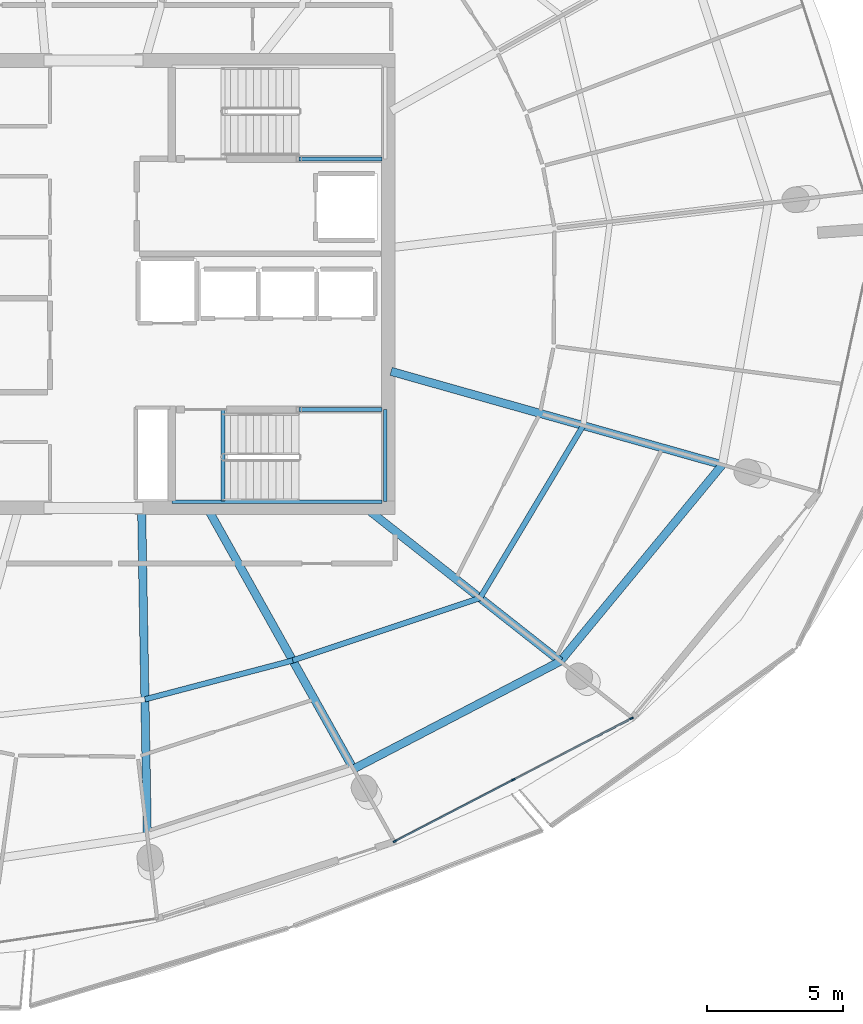
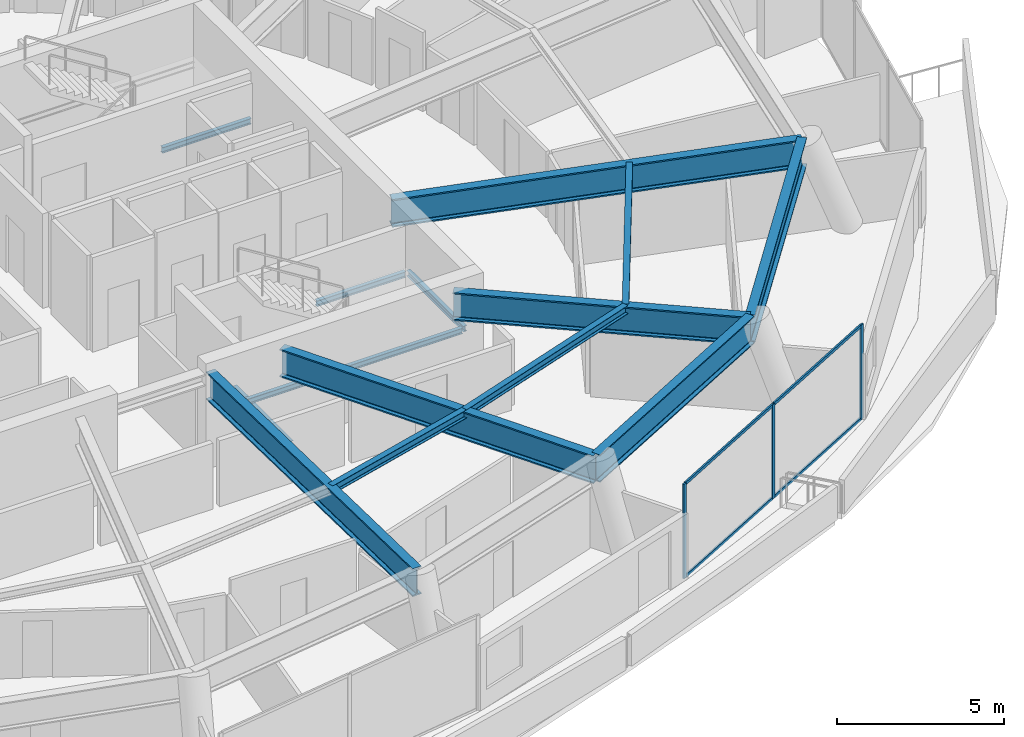
# One storey, part 9 of 27: 14 beams, 7 members, 1 element without a shape of its own.
"""IFC4 building model written with IfcOpenShell, lengths in metres."""

import ifcopenshell
import ifcopenshell.guid

model = None  # the IFC model being written
_history = None  # IfcOwnerHistory: only IFC2X3 demands one
_inside = {}  # id of a spatial element -> (the spatial element, [elements in it])
_under = {}  # id of a project, library or spatial element -> (it, [spatial elements below it])
_declared = {}  # id of a project -> (the project, [libraries it declares])
_typed = {}  # id of a type object -> (the type object, [elements of that type])
_made_of = {}  # id of a material, layer set ... -> (it, [elements and type objects made of it])


def new_model(schema):
    """Start an empty IFC model of exactly this schema.

    Asked for "IFC4X3", IfcOpenShell would pick the latest addendum, in which some entities
    have other attributes; the version numbers below select the first issue.
    IFC2X3 requires an IfcOwnerHistory on every rooted entity: one is made here for all.
    """
    global model, _history
    if schema == "IFC4X3":
        model = ifcopenshell.file(schema_version=(4, 3, 0, 0))
    else:
        model = ifcopenshell.file(schema=schema)
    _inside.clear()
    _under.clear()
    _declared.clear()
    _typed.clear()
    _made_of.clear()
    _history = None
    if model.schema == "IFC2X3":
        org = make("IfcOrganization", Name="unknown")
        user = make(
            "IfcPersonAndOrganization",
            ThePerson=make("IfcPerson", FamilyName="unknown"),
            TheOrganization=org,
        )
        app = make(
            "IfcApplication",
            ApplicationDeveloper=org,
            Version="unknown",
            ApplicationFullName="unknown",
            ApplicationIdentifier="unknown",
        )
        _history = make(
            "IfcOwnerHistory",
            OwningUser=user,
            OwningApplication=app,
            ChangeAction="ADDED",
            CreationDate=0,
        )
    return model


def make(cls, **values):
    """One entity of the class cls with the attributes given. An attribute that is None is left unset."""
    return model.create_entity(
        cls, **{name: value for name, value in values.items() if value is not None}
    )


def rooted(cls, **values):
    """An entity with a GlobalId (a new one), such as an element, a storey or a relation."""
    return make(cls, GlobalId=ifcopenshell.guid.new(), OwnerHistory=_history, **values)


def si_unit(unit_type, name, prefix=None):
    """IfcSIUnit, for example si_unit("LENGTHUNIT", "METRE", prefix="MILLI")."""
    return make("IfcSIUnit", UnitType=unit_type, Prefix=prefix, Name=name)


def assignment(units):
    """IfcUnitAssignment: the units of a project."""
    return None if units is None else make("IfcUnitAssignment", Units=units)


def point(xyz):
    """IfcCartesianPoint."""
    return None if xyz is None else make("IfcCartesianPoint", Coordinates=xyz)


def direction(xyz):
    """IfcDirection."""
    return None if xyz is None else make("IfcDirection", DirectionRatios=xyz)


def frame(location, z_axis=None, x_axis=None):
    """IfcAxis2Placement3D, a coordinate frame: its origin and axes. An axis left out is left unset."""
    return make(
        "IfcAxis2Placement3D",
        Location=point(location),
        Axis=direction(z_axis),
        RefDirection=direction(x_axis),
    )


def frame_2d(location, x_axis=None):
    """IfcAxis2Placement2D, a coordinate frame in the plane: its origin and x axis."""
    return make(
        "IfcAxis2Placement2D", Location=point(location), RefDirection=direction(x_axis)
    )


def origin():
    """The frame at (0, 0, 0) with its axes left unset."""
    return frame((0.0, 0.0, 0.0))


def origin_2d():
    """The frame at (0, 0) in the plane with its x axis left unset."""
    return frame_2d((0.0, 0.0))


def place(relative_to, where):
    """IfcLocalPlacement: puts the frame where relative to a parent placement (None: the world)."""
    return make(
        "IfcLocalPlacement", PlacementRelTo=relative_to, RelativePlacement=where
    )


def context(
    kind, dimensions, precision=None, world=None, true_north=None, identifier=None
):
    """IfcGeometricRepresentationContext, for example the 3D "Model" context."""
    return make(
        "IfcGeometricRepresentationContext",
        ContextIdentifier=identifier,
        ContextType=kind,
        CoordinateSpaceDimension=dimensions,
        Precision=precision,
        WorldCoordinateSystem=world,
        TrueNorth=true_north,
    )


def subcontext(parent, identifier, kind, view, scale=None):
    """IfcGeometricRepresentationSubContext, for example "Body" below "Model"."""
    return make(
        "IfcGeometricRepresentationSubContext",
        ContextIdentifier=identifier,
        ContextType=kind,
        ParentContext=parent,
        TargetScale=scale,
        TargetView=view,
    )


def project(units=None, contexts=None):
    """IfcProject with its units and contexts."""
    return rooted(
        "IfcProject",
        Name="project",
        RepresentationContexts=contexts,
        UnitsInContext=assignment(units),
    )


def spatial(cls, under=None, at=None, **own):
    """A site, building, storey or space (cls), placed at a placement, below another one or the project."""
    s = rooted(cls, ObjectPlacement=at, **own)
    if under is not None:
        _under.setdefault(under.id(), (under, []))[1].append(s)
    return s


def profile(cls, at=None, kind="AREA", **sizes):
    """A parametric profile (cls). Its sizes go by their IFC names, for example OverallWidth=200.0."""
    return make(cls, ProfileType=kind, Position=at, **sizes)


def rectangle(**sizes):
    """IfcRectangleProfileDef."""
    return profile("IfcRectangleProfileDef", **sizes)


def i_section(**sizes):
    """IfcIShapeProfileDef."""
    return profile("IfcIShapeProfileDef", **sizes)


def extrude(swept, where, along, depth):
    """IfcExtrudedAreaSolid: the profile swept, set in the frame where, extruded along a direction by depth."""
    return make(
        "IfcExtrudedAreaSolid",
        SweptArea=swept,
        Position=where,
        ExtrudedDirection=direction(along),
        Depth=depth,
    )


def shape(context_of_items, identifier, shape_type, items):
    """IfcShapeRepresentation: the items that make up one representation, for example the "Body"."""
    return make(
        "IfcShapeRepresentation",
        ContextOfItems=context_of_items,
        RepresentationIdentifier=identifier,
        RepresentationType=shape_type,
        Items=items,
    )


def material(Name=None, Category=None):
    """IfcMaterial."""
    return make("IfcMaterial", Name=Name, Category=Category)


def layer(
    of_material, thickness, ventilated=None, Name=None, Category=None, Priority=None
):
    """IfcMaterialLayer: one layer of a wall or slab, of a material (None: an air gap)."""
    return make(
        "IfcMaterialLayer",
        Material=of_material,
        LayerThickness=thickness,
        IsVentilated=ventilated,
        Name=Name,
        Category=Category,
        Priority=Priority,
    )


def layer_set(layers, Name=None):
    """IfcMaterialLayerSet."""
    return make("IfcMaterialLayerSet", MaterialLayers=layers, LayerSetName=Name)


def material_profile(
    of_material, cross_section, Name=None, Category=None, Priority=None
):
    """IfcMaterialProfile: a cross section and its material."""
    return make(
        "IfcMaterialProfile",
        Name=Name,
        Material=of_material,
        Profile=cross_section,
        Priority=Priority,
        Category=Category,
    )


def profile_set(profiles, Name=None, composite=None):
    """IfcMaterialProfileSet."""
    return make(
        "IfcMaterialProfileSet",
        Name=Name,
        MaterialProfiles=profiles,
        CompositeProfile=composite,
    )


def made_of(thing, what):
    """Note that an element or type object is made of a material, layer set ...; save() writes the relation."""
    if what is not None:
        _made_of.setdefault(what.id(), (what, []))[1].append(thing)
    return thing


def type_object(cls, material=None, **own):
    """A type object (cls), such as IfcWallType, which elements share."""
    return made_of(rooted(cls, **own), material)


def element(
    cls,
    number,
    at=None,
    inside=None,
    cuts=None,
    type_object=None,
    material=None,
    context=None,
    identifier="Body",
    shape_type=None,
    held_by="IfcProductDefinitionShape",
    body=None,
    shapes=None,
    **own,
):
    """One element of the class cls, such as IfcWall. Its Tag is "e" and its number.

    at: its placement. inside: the storey or other place that contains it. cuts: it is an
    opening in that element (IfcRelVoidsElement). A single representation is given by context,
    identifier, shape_type and body (its items); several are given by shapes. held_by: the class
    of the entity that holds the representations. save() writes the other relations.
    """
    e = rooted(cls, Tag="e%d" % number, ObjectPlacement=at, **own)
    if body is not None:
        shapes = [shape(context, identifier, shape_type, body)]
    if shapes is not None:
        e.Representation = make(held_by, Representations=shapes)
    if inside is not None:
        _inside.setdefault(inside.id(), (inside, []))[1].append(e)
    if cuts is not None:
        rooted(
            "IfcRelVoidsElement", RelatingBuildingElement=cuts, RelatedOpeningElement=e
        )
    if type_object is not None:
        _typed.setdefault(type_object.id(), (type_object, []))[1].append(e)
    return made_of(e, material)


def aggregate(whole, parts):
    """IfcRelAggregates: a whole, such as a stair, and the parts it consists of."""
    return rooted("IfcRelAggregates", RelatingObject=whole, RelatedObjects=parts)


def save(model, path):
    """Write the relations noted so far, then the file.

    IfcRelAggregates (storeys below a building ...), IfcRelContainedInSpatialStructure (elements
    in a storey), IfcRelDefinesByType, IfcRelAssociatesMaterial and IfcRelDeclares: one each for
    every whole, place, type object, material and project.
    """
    for whole, parts in _under.values():
        aggregate(whole, parts)
    for where, things in _inside.values():
        rooted(
            "IfcRelContainedInSpatialStructure",
            RelatedElements=things,
            RelatingStructure=where,
        )
    for kind, things in _typed.values():
        rooted("IfcRelDefinesByType", RelatedObjects=things, RelatingType=kind)
    for what, things in _made_of.values():
        rooted("IfcRelAssociatesMaterial", RelatedObjects=things, RelatingMaterial=what)
    for by, libraries in _declared.values():
        rooted("IfcRelDeclares", RelatingContext=by, RelatedDefinitions=libraries)
    model.write(path)


model = new_model("IFC4")

# Units and contexts
model_context = context("Model", 3, precision=1e-05, world=origin(), true_north=direction((0.0, 1.0)))
body_context = subcontext(model_context, "Body", "Model", "MODEL_VIEW")
ifc_project = project(units=[si_unit("LENGTHUNIT", "METRE"), si_unit("AREAUNIT", "SQUARE_METRE"), si_unit("VOLUMEUNIT", "CUBIC_METRE"), si_unit("PLANEANGLEUNIT", "RADIAN"), si_unit("MASSUNIT", "GRAM", prefix="KILO")], contexts=[model_context])

# Site, building, storey
site_placement = place(None, origin())
site = spatial("IfcSite", under=ifc_project, at=site_placement, CompositionType="ELEMENT")
building_placement = place(site_placement, origin())
building = spatial("IfcBuilding", under=site, at=building_placement, Name="Kazma Halo Residences", CompositionType="ELEMENT")
storey_placement = place(building_placement, frame((0.0, 0.0, 306.0)))
storey = spatial("IfcBuildingStorey", under=building, at=storey_placement, Name="L77", CompositionType="ELEMENT", Elevation=306.0)

# Beams
ifc_material_1 = material(Name="Steel S355", Category="steel")
ifc_material_profile_1 = material_profile(ifc_material_1, i_section(OverallWidth=0.202880859375, OverallDepth=0.302978515625, WebThickness=0.007568359375, FlangeThickness=0.01318359375, FilletRadius=0.013916015625, at=origin_2d()), Name="W310x60")
ifc_profile_set_1 = profile_set([ifc_material_profile_1], Name="Steel S355")
beam_type_1 = type_object("IfcBeamType", Name="BM-SEC-W310A", PredefinedType="JOIST", material=ifc_profile_set_1)
beam_1_placement = place(storey_placement, frame((50.32080078125, 26.690673828125, 3.298583984375), z_axis=(0.967135677372, 0.254260853364, 0.0), x_axis=(-0.254260853364, 0.967135677372, 0.0)))
element("IfcBeam", 1, at=beam_1_placement, inside=storey, type_object=beam_type_1, Name="L77 circumferential floor joist 12", PredefinedType="JOIST", context=body_context, shape_type="SweptSolid", body=[
    extrude(i_section(OverallWidth=0.202880859375, OverallDepth=0.302978515625, WebThickness=0.007568359375, FlangeThickness=0.01318359375, FilletRadius=0.013916015625, at=origin_2d()), origin(), (0.0, 0.0, 1.0), 5.635498046875),
])
beam_2_placement = place(storey_placement, frame((55.77099609375, 28.12353515625, 3.298583984375), z_axis=(0.948639708873, 0.316358503521, 0.0), x_axis=(-0.316358503521, 0.948639708873, 0.0)))
element("IfcBeam", 2, at=beam_2_placement, inside=storey, type_object=beam_type_1, Name="L77 circumferential floor joist 13", PredefinedType="JOIST", context=body_context, shape_type="SweptSolid", body=[
    extrude(i_section(OverallWidth=0.202880859375, OverallDepth=0.302978515625, WebThickness=0.007568359375, FlangeThickness=0.01318359375, FilletRadius=0.013916015625, at=origin_2d()), origin(), (0.0, 0.0, 1.0), 7.28271484375),
])
beam_3_placement = place(storey_placement, frame((62.6796875, 30.427490234375, 3.298583984375), z_axis=(0.513298539715, 0.85821011945, 0.0), x_axis=(-0.85821011945, 0.513298539715, 0.0)))
element("IfcBeam", 3, at=beam_3_placement, inside=storey, type_object=beam_type_1, Name="L77 circumferential floor joist 14", PredefinedType="JOIST", context=body_context, shape_type="SweptSolid", body=[
    extrude(i_section(OverallWidth=0.202880859375, OverallDepth=0.302978515625, WebThickness=0.007568359375, FlangeThickness=0.01318359375, FilletRadius=0.013916015625, at=origin_2d()), origin(), (0.0, 0.0, 1.0), 7.410400390625),
])
ifc_material_profile_2 = material_profile(ifc_material_1, i_section(OverallWidth=0.302001953125, OverallDepth=1.01806640625, WebThickness=0.021484375, FlangeThickness=0.049072265625, FilletRadius=0.028076171875, at=origin_2d()), Name="W1000x443")
ifc_profile_set_2 = profile_set([ifc_material_profile_2], Name="Steel S355")
beam_type_2 = type_object("IfcBeamType", Name="BM-TRANS-W1000A", PredefinedType="BEAM", material=ifc_profile_set_2)
beam_4_placement = place(storey_placement, frame((50.199951171875, 33.64990234375, 2.94091796875), z_axis=(0.017373819368, -0.999849063809, 0.0), x_axis=(0.999849063809, 0.017373819368, 0.0)))
element("IfcBeam", 4, at=beam_4_placement, inside=storey, type_object=beam_type_2, Name="L77 podium radial transfer girder 12", PredefinedType="BEAM", context=body_context, shape_type="SweptSolid", body=[
    extrude(i_section(OverallWidth=0.302001953125, OverallDepth=1.01806640625, WebThickness=0.021484375, FlangeThickness=0.049072265625, FilletRadius=0.028076171875, at=origin_2d()), origin(), (0.0, 0.0, 1.0), 12.00048828125),
])
beam_5_placement = place(storey_placement, frame((52.67626953125, 33.64990234375, 2.94091796875), z_axis=(0.488618345646, -0.872497628821, 0.0), x_axis=(0.872497628821, 0.488618345646, 0.0)))
element("IfcBeam", 5, at=beam_5_placement, inside=storey, type_object=beam_type_2, Name="L77 podium radial transfer girder 13", PredefinedType="BEAM", context=body_context, shape_type="SweptSolid", body=[
    extrude(i_section(OverallWidth=0.302001953125, OverallDepth=1.01806640625, WebThickness=0.021484375, FlangeThickness=0.049072265625, FilletRadius=0.028076171875, at=origin_2d()), origin(), (0.0, 0.0, 1.0), 10.92041015625),
])
beam_6_placement = place(storey_placement, frame((58.591796875, 33.64990234375, 2.94091796875), z_axis=(0.785323339082, -0.619085820459, 0.0), x_axis=(0.619085820459, 0.785323339082, 0.0)))
element("IfcBeam", 6, at=beam_6_placement, inside=storey, type_object=beam_type_2, Name="L77 podium radial transfer girder 14", PredefinedType="BEAM", context=body_context, shape_type="SweptSolid", body=[
    extrude(i_section(OverallWidth=0.302001953125, OverallDepth=1.01806640625, WebThickness=0.021484375, FlangeThickness=0.049072265625, FilletRadius=0.028076171875, at=origin_2d()), origin(), (0.0, 0.0, 1.0), 8.974853515625),
])
beam_7_placement = place(storey_placement, frame((59.39990234375, 38.784912109375, 2.94091796875), z_axis=(0.962454960428, -0.271441428577, 0.0), x_axis=(0.271441428577, 0.962454960428, 0.0)))
element("IfcBeam", 7, at=beam_7_placement, inside=storey, type_object=beam_type_2, Name="L77 podium radial transfer girder 15", PredefinedType="BEAM", context=body_context, shape_type="SweptSolid", body=[
    extrude(i_section(OverallWidth=0.302001953125, OverallDepth=1.01806640625, WebThickness=0.021484375, FlangeThickness=0.049072265625, FilletRadius=0.028076171875, at=origin_2d()), origin(), (0.0, 0.0, 1.0), 12.68896484375),
])
ifc_material_profile_3 = material_profile(ifc_material_1, i_section(OverallWidth=0.300048828125, OverallDepth=1.0, WebThickness=0.01904296875, FlangeThickness=0.0400390625, FilletRadius=0.02587890625, at=origin_2d()), Name="W1000x371")
ifc_profile_set_3 = profile_set([ifc_material_profile_3], Name="Steel S355")
beam_type_3 = type_object("IfcBeamType", Name="BM-TRANS-W1000B", PredefinedType="BEAM", material=ifc_profile_set_3)
beam_8_placement = place(storey_placement, frame((58.01220703125, 24.121826171875, 2.949951171875), z_axis=(0.886953577224, 0.461858584254, 0.0), x_axis=(-0.461858584254, 0.886953577224, 0.0)))
element("IfcBeam", 8, at=beam_8_placement, inside=storey, type_object=beam_type_3, Name="L77 perimeter ring beam 13", PredefinedType="BEAM", context=body_context, shape_type="SweptSolid", body=[
    extrude(i_section(OverallWidth=0.300048828125, OverallDepth=1.0, WebThickness=0.01904296875, FlangeThickness=0.0400390625, FilletRadius=0.02587890625, at=origin_2d()), origin(), (0.0, 0.0, 1.0), 8.599853515625),
])
beam_9_placement = place(storey_placement, frame((65.639892578125, 28.09375, 2.949951171875), z_axis=(0.636004274797, 0.771685533388, 0.0), x_axis=(-0.771685533388, 0.636004274797, 0.0)))
element("IfcBeam", 9, at=beam_9_placement, inside=storey, type_object=beam_type_3, Name="L77 perimeter ring beam 14", PredefinedType="BEAM", context=body_context, shape_type="SweptSolid", body=[
    extrude(i_section(OverallWidth=0.300048828125, OverallDepth=1.0, WebThickness=0.01904296875, FlangeThickness=0.0400390625, FilletRadius=0.02587890625, at=origin_2d()), origin(), (0.0, 0.0, 1.0), 9.390869140625),
])
ifc_material_profile_4 = material_profile(ifc_material_1, i_section(OverallWidth=0.133056640625, OverallDepth=0.20703125, WebThickness=0.005859375, FlangeThickness=0.00830078125, FilletRadius=0.010009765625, at=origin_2d()), Name="W200x26.6")
ifc_profile_set_4 = profile_set([ifc_material_profile_4], Name="Steel S355")
beam_type_4 = type_object("IfcBeamType", Name="BM-TRIM-W200", PredefinedType="BEAM", material=ifc_profile_set_4)
beam_10_placement = place(storey_placement, frame((53.199951171875, 34.0, -0.510009765625), z_axis=(0.0, 1.0, 0.0), x_axis=(-1.0, 0.0, 0.0)))
element("IfcBeam", 10, at=beam_10_placement, inside=storey, type_object=beam_type_4, Name="L77 ST-03 floor landing support beam", PredefinedType="BEAM", context=body_context, shape_type="SweptSolid", body=[
    extrude(i_section(OverallWidth=0.133056640625, OverallDepth=0.20703125, WebThickness=0.005859375, FlangeThickness=0.00830078125, FilletRadius=0.010009765625, at=origin_2d()), origin(), (0.0, 0.0, 1.0), 3.3798828125),
])
beam_11_placement = place(storey_placement, frame((56.0, 46.6201171875, 1.6201171875), z_axis=(1.0, 0.0, 0.0), x_axis=(0.0, 1.0, 0.0)))
element("IfcBeam", 11, at=beam_11_placement, inside=storey, type_object=beam_type_4, Name="L77 ST-02 landing south wall ledger", PredefinedType="BEAM", context=body_context, shape_type="SweptSolid", body=[
    extrude(i_section(OverallWidth=0.133056640625, OverallDepth=0.20703125, WebThickness=0.005859375, FlangeThickness=0.00830078125, FilletRadius=0.010009765625, at=origin_2d()), origin(), (0.0, 0.0, 1.0), 3.070068359375),
])
beam_12_placement = place(storey_placement, frame((51.31005859375, 33.97998046875, 1.6201171875), z_axis=(1.0, 0.0, 0.0), x_axis=(0.0, 1.0, 0.0)))
element("IfcBeam", 12, at=beam_12_placement, inside=storey, type_object=beam_type_4, Name="L77 ST-03 landing south wall ledger", PredefinedType="BEAM", context=body_context, shape_type="SweptSolid", body=[
    extrude(i_section(OverallWidth=0.133056640625, OverallDepth=0.20703125, WebThickness=0.005859375, FlangeThickness=0.00830078125, FilletRadius=0.010009765625, at=origin_2d()), origin(), (0.0, 0.0, 1.0), 7.760009765625),
])
beam_13_placement = place(storey_placement, frame((56.0, 37.3798828125, 1.6201171875), z_axis=(1.0, 0.0, 0.0), x_axis=(0.0, 1.0, 0.0)))
element("IfcBeam", 13, at=beam_13_placement, inside=storey, type_object=beam_type_4, Name="L77 ST-03 landing north wall ledger", PredefinedType="BEAM", context=body_context, shape_type="SweptSolid", body=[
    extrude(i_section(OverallWidth=0.133056640625, OverallDepth=0.20703125, WebThickness=0.005859375, FlangeThickness=0.00830078125, FilletRadius=0.010009765625, at=origin_2d()), origin(), (0.0, 0.0, 1.0), 3.070068359375),
])
beam_14_placement = place(storey_placement, frame((59.18994140625, 33.97998046875, 1.6201171875), z_axis=(0.0, 1.0, 0.0), x_axis=(-1.0, 0.0, 0.0)))
element("IfcBeam", 14, at=beam_14_placement, inside=storey, type_object=beam_type_4, Name="L77 ST-03 landing end wall ledger", PredefinedType="BEAM", context=body_context, shape_type="SweptSolid", body=[
    extrude(i_section(OverallWidth=0.133056640625, OverallDepth=0.20703125, WebThickness=0.005859375, FlangeThickness=0.00830078125, FilletRadius=0.010009765625, at=origin_2d()), origin(), (0.0, 0.0, 1.0), 3.39990234375),
])

# Curtain wall, members
ifc_material_2 = material(Name="Aluminium AW-6063 T6 and Triple-Silver Low-E Glass", Category="aluminium")
ifc_layer = layer(ifc_material_2, 0.139892578125)
ifc_layer_set = layer_set([ifc_layer], Name="Aluminium AW-6063 T6 and Triple-Silver Low-E Glass")
curtain_wall_type = type_object("IfcCurtainWallType", Name="CW-SYS-5", PredefinedType="NOTDEFINED", material=ifc_layer_set)
curtain_wall_placement = place(storey_placement, origin())
curtain_wall = element("IfcCurtainWall", 15, at=curtain_wall_placement, inside=storey, type_object=curtain_wall_type, Name="L77 unitised curtain wall B13", PredefinedType="NOTDEFINED")
ifc_material_3 = material(Name="Aluminium AW-6063 T6", Category="aluminium")
ifc_material_profile_5 = material_profile(ifc_material_3, rectangle(XDim=0.06005859375, YDim=0.139892578125, at=origin_2d()), Name="CWM-60x140")
ifc_profile_set_5 = profile_set([ifc_material_profile_5], Name="Aluminium AW-6063 T6")
member_type_1 = type_object("IfcMemberType", Name="CW-SYS-5-MUL", PredefinedType="MULLION", material=ifc_profile_set_5)
member_1_placement = place(storey_placement, frame((59.539306640625, 21.45654296875, 0.0), z_axis=(0.0, 0.0, 1.0), x_axis=(-0.460915397592, 0.88744408064, 0.0)))
member_1 = element("IfcMember", 16, at=member_1_placement, type_object=member_type_1, Name="CWS-5 mullion 1", PredefinedType="MULLION", context=body_context, shape_type="SweptSolid", body=[
    extrude(rectangle(XDim=0.06005859375, YDim=0.139892578125, at=origin_2d()), origin(), (0.0, 0.0, 1.0), 3.449951171875),
])
member_2_placement = place(storey_placement, frame((63.902587890625, 23.722900390625, 0.0), z_axis=(0.0, 0.0, 1.0), x_axis=(-0.460915397592, 0.88744408064, 0.0)))
member_2 = element("IfcMember", 17, at=member_2_placement, type_object=member_type_1, Name="CWS-5 mullion 2", PredefinedType="MULLION", context=body_context, shape_type="SweptSolid", body=[
    extrude(rectangle(XDim=0.06005859375, YDim=0.139892578125, at=origin_2d()), origin(), (0.0, 0.0, 1.0), 3.449951171875),
])
member_3_placement = place(storey_placement, frame((68.265869140625, 25.989013671875, 0.0), z_axis=(0.0, 0.0, 1.0), x_axis=(-0.460915397592, 0.88744408064, 0.0)))
member_3 = element("IfcMember", 18, at=member_3_placement, type_object=member_type_1, Name="CWS-5 mullion 3", PredefinedType="MULLION", context=body_context, shape_type="SweptSolid", body=[
    extrude(rectangle(XDim=0.06005859375, YDim=0.139892578125, at=origin_2d()), origin(), (0.0, 0.0, 1.0), 3.449951171875),
])
ifc_material_profile_6 = material_profile(ifc_material_3, rectangle(XDim=0.06005859375, YDim=0.10498046875, at=origin_2d()), Name="CWT-60x105")
ifc_profile_set_6 = profile_set([ifc_material_profile_6], Name="Aluminium AW-6063 T6")
member_type_2 = type_object("IfcMemberType", Name="CW-SYS-5-TRN", PredefinedType="USERDEFINED", material=ifc_profile_set_6)
member_4_placement = place(storey_placement, frame((59.56591796875, 21.470458984375, 0.030029296875), z_axis=(0.887444675026, 0.460914253162, 0.0), x_axis=(-0.460914253162, 0.887444675026, 0.0)))
member_4 = element("IfcMember", 19, at=member_4_placement, type_object=member_type_2, Name="CWS-5 transom 1.1", ObjectType="TRANSOM", PredefinedType="USERDEFINED", context=body_context, shape_type="SweptSolid", body=[
    extrude(rectangle(XDim=0.06005859375, YDim=0.10498046875, at=origin_2d()), origin(), (0.0, 0.0, 1.0), 4.856689453125),
])
member_5_placement = place(storey_placement, frame((59.56591796875, 21.470458984375, 3.419921875), z_axis=(0.887444675026, 0.460914253162, 0.0), x_axis=(-0.460914253162, 0.887444675026, 0.0)))
member_5 = element("IfcMember", 20, at=member_5_placement, type_object=member_type_2, Name="CWS-5 transom 1.2", ObjectType="TRANSOM", PredefinedType="USERDEFINED", context=body_context, shape_type="SweptSolid", body=[
    extrude(rectangle(XDim=0.06005859375, YDim=0.10498046875, at=origin_2d()), origin(), (0.0, 0.0, 1.0), 4.856689453125),
])
member_6_placement = place(storey_placement, frame((63.92919921875, 23.736572265625, 0.030029296875), z_axis=(0.887444675026, 0.460914253162, 0.0), x_axis=(-0.460914253162, 0.887444675026, 0.0)))
member_6 = element("IfcMember", 21, at=member_6_placement, type_object=member_type_2, Name="CWS-5 transom 2.1", ObjectType="TRANSOM", PredefinedType="USERDEFINED", context=body_context, shape_type="SweptSolid", body=[
    extrude(rectangle(XDim=0.06005859375, YDim=0.10498046875, at=origin_2d()), origin(), (0.0, 0.0, 1.0), 4.856689453125),
])
member_7_placement = place(storey_placement, frame((63.92919921875, 23.736572265625, 3.419921875), z_axis=(0.887444675026, 0.460914253162, 0.0), x_axis=(-0.460914253162, 0.887444675026, 0.0)))
member_7 = element("IfcMember", 22, at=member_7_placement, type_object=member_type_2, Name="CWS-5 transom 2.2", ObjectType="TRANSOM", PredefinedType="USERDEFINED", context=body_context, shape_type="SweptSolid", body=[
    extrude(rectangle(XDim=0.06005859375, YDim=0.10498046875, at=origin_2d()), origin(), (0.0, 0.0, 1.0), 4.856689453125),
])
aggregate(curtain_wall, [member_1, member_2, member_3, member_4, member_5, member_6, member_7])

save(model, "model.ifc")
